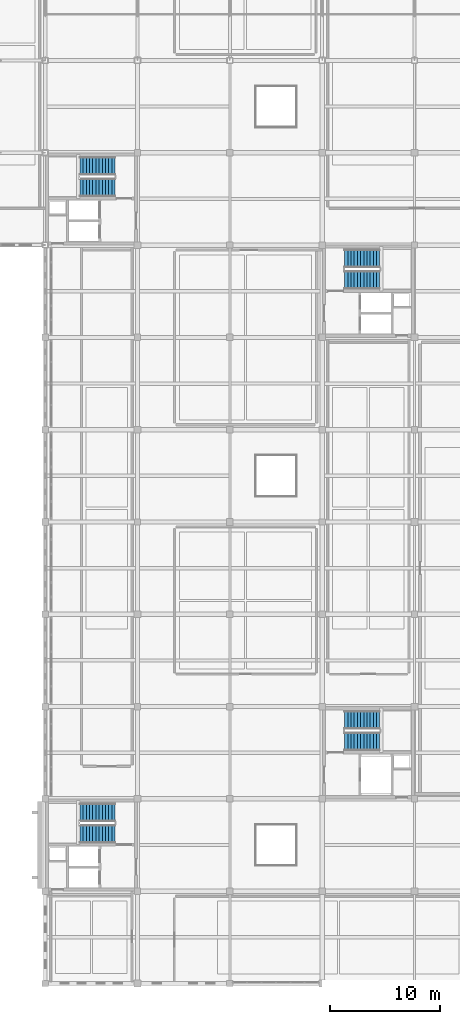
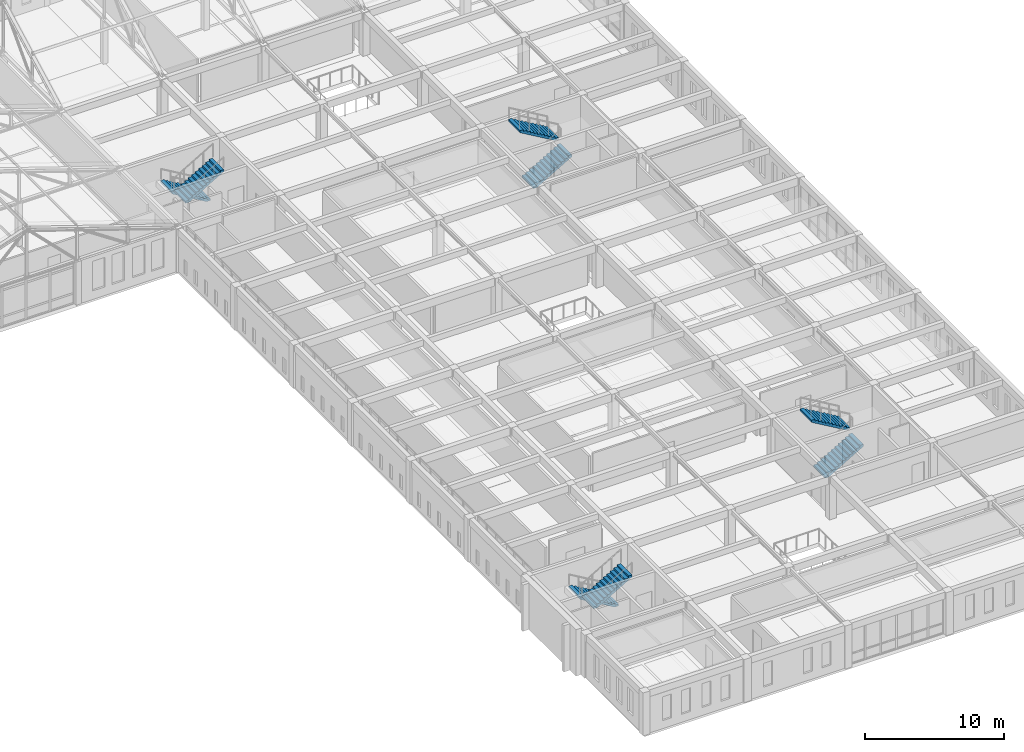
# One storey, part 51 of 56: 8 stair flights, 4 elements without a shape of their own.
"""IFC4 building model written with IfcOpenShell, lengths in metres."""

from ifc_helpers import new_model, si_unit, direction, frame, origin, place, context, subcontext, project, spatial, polyline, outline, extrude, material, type_object, element, aggregate, save


model = new_model("IFC4")

# Units and contexts
model_context = context("Model", 3, precision=1e-05, world=origin(), true_north=direction((0.0, 1.0)))
body_context = subcontext(model_context, "Body", "Model", "MODEL_VIEW")
ifc_project = project(units=[si_unit("LENGTHUNIT", "METRE"), si_unit("AREAUNIT", "SQUARE_METRE"), si_unit("VOLUMEUNIT", "CUBIC_METRE"), si_unit("PLANEANGLEUNIT", "RADIAN"), si_unit("MASSUNIT", "GRAM", prefix="KILO")], contexts=[model_context])

# Site, building, storey
site_placement = place(None, origin())
site = spatial("IfcSite", under=ifc_project, at=site_placement, CompositionType="ELEMENT")
building_placement = place(site_placement, origin())
building = spatial("IfcBuilding", under=site, at=building_placement, Name="Kveldsbrygga Polytechnic", CompositionType="ELEMENT")
storey_placement = place(building_placement, frame((0.0, 0.0, 18.02001953125)))
storey = spatial("IfcBuildingStorey", under=building, at=storey_placement, Name="L04", CompositionType="ELEMENT", Elevation=18.02001953125)

# Stair, stair flights
ifc_material = material(Name="Concrete C35/45", Category="concrete")
stair_type = type_object("IfcStairType", Name="STR-CORE-408", PredefinedType="HALF_TURN_STAIR", material=ifc_material)
stair_1_placement = place(storey_placement, origin())
stair_1 = element("IfcStair", 1, at=stair_1_placement, inside=storey, type_object=stair_type, Name="L04 Core C1 Escape Stair ST-1", PredefinedType="HALF_TURN_STAIR")
stair_flight_type = type_object("IfcStairFlightType", Name="SFL-CORE-12R", PredefinedType="STRAIGHT", material=ifc_material)
stair_flight_1_placement = place(storey_placement, frame((132.35009765625, 32.375, 0.0), z_axis=(0.0, 0.0, 1.0), x_axis=(-1.0, 0.0, 0.0)))
stair_flight_1 = element("IfcStairFlight", 2, at=stair_flight_1_placement, type_object=stair_flight_type, Name="ST-1 flight 1", NumberOfRisers=12, NumberOfTreads=11, PredefinedType="STRAIGHT", RiserHeight=0.17, TreadLength=0.29, context=body_context, shape_type="SweptSolid", body=[
    extrude(outline(polyline([(0.0, 0.0), (0.0, 0.169921875), (0.2900390625, 0.169921875), (0.2900390625, 0.340087890625), (0.580078125, 0.340087890625), (0.580078125, 0.510009765625), (0.8701171875, 0.510009765625), (0.8701171875, 0.679931640625), (1.159912109375, 0.679931640625), (1.159912109375, 0.85009765625), (1.449951171875, 0.85009765625), (1.449951171875, 1.02001953125), (1.739990234375, 1.02001953125), (1.739990234375, 1.18994140625), (2.030029296875, 1.18994140625), (2.030029296875, 1.360107421875), (2.320068359375, 1.360107421875), (2.320068359375, 1.530029296875), (2.610107421875, 1.530029296875), (2.610107421875, 1.699951171875), (2.89990234375, 1.699951171875), (2.89990234375, 1.8701171875), (3.18994140625, 1.8701171875), (3.18994140625, 2.0400390625), (3.18994140625, 1.6845703125), (0.316162109375, 0.0), (0.0, 0.0)])), frame((0.0, 0.824951171875, 0.0), z_axis=(0.0, -1.0, 0.0), x_axis=(1.0, 0.0, 0.0)), (0.0, 0.0, 1.0), 1.64990234375),
])
stair_flight_2_placement = place(storey_placement, frame((129.159912109375, 30.425048828125, 2.0400390625), z_axis=(0.0, 0.0, 1.0), x_axis=(1.0, 0.0, 0.0)))
stair_flight_2 = element("IfcStairFlight", 3, at=stair_flight_2_placement, type_object=stair_flight_type, Name="ST-1 flight 2", NumberOfRisers=12, NumberOfTreads=11, PredefinedType="STRAIGHT", RiserHeight=0.17, TreadLength=0.29, context=body_context, shape_type="SweptSolid", body=[
    extrude(outline(polyline([(0.0, 0.0), (0.0, 0.169921875), (0.2900390625, 0.169921875), (0.2900390625, 0.340087890625), (0.580078125, 0.340087890625), (0.580078125, 0.510009765625), (0.8701171875, 0.510009765625), (0.8701171875, 0.679931640625), (1.159912109375, 0.679931640625), (1.159912109375, 0.85009765625), (1.449951171875, 0.85009765625), (1.449951171875, 1.02001953125), (1.739990234375, 1.02001953125), (1.739990234375, 1.18994140625), (2.030029296875, 1.18994140625), (2.030029296875, 1.360107421875), (2.320068359375, 1.360107421875), (2.320068359375, 1.530029296875), (2.610107421875, 1.530029296875), (2.610107421875, 1.699951171875), (2.89990234375, 1.699951171875), (2.89990234375, 1.8701171875), (3.18994140625, 1.8701171875), (3.18994140625, 2.0400390625), (3.18994140625, 1.6845703125), (0.316162109375, 0.0), (0.0, 0.0)])), frame((0.0, 0.824951171875, 0.0), z_axis=(0.0, -1.0, 0.0), x_axis=(1.0, 0.0, 0.0)), (0.0, 0.0, 1.0), 1.64990234375),
])
aggregate(stair_1, [stair_flight_1, stair_flight_2])

stair_2_placement = place(storey_placement, origin())
stair_2 = element("IfcStair", 4, at=stair_2_placement, inside=storey, type_object=stair_type, Name="L04 Core C2 Escape Stair ST-2", PredefinedType="HALF_TURN_STAIR")
stair_flight_3_placement = place(storey_placement, frame((132.35009765625, 91.175048828125, 0.0), z_axis=(0.0, 0.0, 1.0), x_axis=(-1.0, 0.0, 0.0)))
stair_flight_3 = element("IfcStairFlight", 5, at=stair_flight_3_placement, type_object=stair_flight_type, Name="ST-2 flight 1", NumberOfRisers=12, NumberOfTreads=11, PredefinedType="STRAIGHT", RiserHeight=0.17, TreadLength=0.29, context=body_context, shape_type="SweptSolid", body=[
    extrude(outline(polyline([(0.0, 0.0), (0.0, 0.169921875), (0.2900390625, 0.169921875), (0.2900390625, 0.340087890625), (0.580078125, 0.340087890625), (0.580078125, 0.510009765625), (0.8701171875, 0.510009765625), (0.8701171875, 0.679931640625), (1.159912109375, 0.679931640625), (1.159912109375, 0.85009765625), (1.449951171875, 0.85009765625), (1.449951171875, 1.02001953125), (1.739990234375, 1.02001953125), (1.739990234375, 1.18994140625), (2.030029296875, 1.18994140625), (2.030029296875, 1.360107421875), (2.320068359375, 1.360107421875), (2.320068359375, 1.530029296875), (2.610107421875, 1.530029296875), (2.610107421875, 1.699951171875), (2.89990234375, 1.699951171875), (2.89990234375, 1.8701171875), (3.18994140625, 1.8701171875), (3.18994140625, 2.0400390625), (3.18994140625, 1.6845703125), (0.316162109375, 0.0), (0.0, 0.0)])), frame((0.0, 0.824951171875, 0.0), z_axis=(0.0, -1.0, 0.0), x_axis=(1.0, 0.0, 0.0)), (0.0, 0.0, 1.0), 1.64990234375),
])
stair_flight_4_placement = place(storey_placement, frame((129.159912109375, 89.22509765625, 2.0400390625), z_axis=(0.0, 0.0, 1.0), x_axis=(1.0, 0.0, 0.0)))
stair_flight_4 = element("IfcStairFlight", 6, at=stair_flight_4_placement, type_object=stair_flight_type, Name="ST-2 flight 2", NumberOfRisers=12, NumberOfTreads=11, PredefinedType="STRAIGHT", RiserHeight=0.17, TreadLength=0.29, context=body_context, shape_type="SweptSolid", body=[
    extrude(outline(polyline([(0.0, 0.0), (0.0, 0.169921875), (0.2900390625, 0.169921875), (0.2900390625, 0.340087890625), (0.580078125, 0.340087890625), (0.580078125, 0.510009765625), (0.8701171875, 0.510009765625), (0.8701171875, 0.679931640625), (1.159912109375, 0.679931640625), (1.159912109375, 0.85009765625), (1.449951171875, 0.85009765625), (1.449951171875, 1.02001953125), (1.739990234375, 1.02001953125), (1.739990234375, 1.18994140625), (2.030029296875, 1.18994140625), (2.030029296875, 1.360107421875), (2.320068359375, 1.360107421875), (2.320068359375, 1.530029296875), (2.610107421875, 1.530029296875), (2.610107421875, 1.699951171875), (2.89990234375, 1.699951171875), (2.89990234375, 1.8701171875), (3.18994140625, 1.8701171875), (3.18994140625, 2.0400390625), (3.18994140625, 1.6845703125), (0.316162109375, 0.0), (0.0, 0.0)])), frame((0.0, 0.824951171875, 0.0), z_axis=(0.0, -1.0, 0.0), x_axis=(1.0, 0.0, 0.0)), (0.0, 0.0, 1.0), 1.64990234375),
])
aggregate(stair_2, [stair_flight_3, stair_flight_4])

stair_3_placement = place(storey_placement, origin())
stair_3 = element("IfcStair", 7, at=stair_3_placement, inside=storey, type_object=stair_type, Name="L04 Core C3 Escape Stair ST-3", PredefinedType="HALF_TURN_STAIR")
stair_flight_5_placement = place(storey_placement, frame((153.25, 38.824951171875, 0.0), z_axis=(0.0, 0.0, 1.0), x_axis=(1.0, 0.0, 0.0)))
stair_flight_5 = element("IfcStairFlight", 8, at=stair_flight_5_placement, type_object=stair_flight_type, Name="ST-3 flight 1", NumberOfRisers=12, NumberOfTreads=11, PredefinedType="STRAIGHT", RiserHeight=0.17, TreadLength=0.29, context=body_context, shape_type="SweptSolid", body=[
    extrude(outline(polyline([(0.0, 0.0), (0.0, 0.169921875), (0.2900390625, 0.169921875), (0.2900390625, 0.340087890625), (0.580078125, 0.340087890625), (0.580078125, 0.510009765625), (0.8701171875, 0.510009765625), (0.8701171875, 0.679931640625), (1.159912109375, 0.679931640625), (1.159912109375, 0.85009765625), (1.449951171875, 0.85009765625), (1.449951171875, 1.02001953125), (1.739990234375, 1.02001953125), (1.739990234375, 1.18994140625), (2.030029296875, 1.18994140625), (2.030029296875, 1.360107421875), (2.320068359375, 1.360107421875), (2.320068359375, 1.530029296875), (2.610107421875, 1.530029296875), (2.610107421875, 1.699951171875), (2.89990234375, 1.699951171875), (2.89990234375, 1.8701171875), (3.18994140625, 1.8701171875), (3.18994140625, 2.0400390625), (3.18994140625, 1.6845703125), (0.316162109375, 0.0), (0.0, 0.0)])), frame((0.0, 0.824951171875, 0.0), z_axis=(0.0, -1.0, 0.0), x_axis=(1.0, 0.0, 0.0)), (0.0, 0.0, 1.0), 1.64990234375),
])
stair_flight_6_placement = place(storey_placement, frame((156.43994140625, 40.77490234375, 2.0400390625), z_axis=(0.0, 0.0, 1.0), x_axis=(-1.0, 0.0, 0.0)))
stair_flight_6 = element("IfcStairFlight", 9, at=stair_flight_6_placement, type_object=stair_flight_type, Name="ST-3 flight 2", NumberOfRisers=12, NumberOfTreads=11, PredefinedType="STRAIGHT", RiserHeight=0.17, TreadLength=0.29, context=body_context, shape_type="SweptSolid", body=[
    extrude(outline(polyline([(0.0, 0.0), (0.0, 0.169921875), (0.2900390625, 0.169921875), (0.2900390625, 0.340087890625), (0.580078125, 0.340087890625), (0.580078125, 0.510009765625), (0.8701171875, 0.510009765625), (0.8701171875, 0.679931640625), (1.159912109375, 0.679931640625), (1.159912109375, 0.85009765625), (1.449951171875, 0.85009765625), (1.449951171875, 1.02001953125), (1.739990234375, 1.02001953125), (1.739990234375, 1.18994140625), (2.030029296875, 1.18994140625), (2.030029296875, 1.360107421875), (2.320068359375, 1.360107421875), (2.320068359375, 1.530029296875), (2.610107421875, 1.530029296875), (2.610107421875, 1.699951171875), (2.89990234375, 1.699951171875), (2.89990234375, 1.8701171875), (3.18994140625, 1.8701171875), (3.18994140625, 2.0400390625), (3.18994140625, 1.6845703125), (0.316162109375, 0.0), (0.0, 0.0)])), frame((0.0, 0.824951171875, 0.0), z_axis=(0.0, -1.0, 0.0), x_axis=(1.0, 0.0, 0.0)), (0.0, 0.0, 1.0), 1.64990234375),
])
aggregate(stair_3, [stair_flight_5, stair_flight_6])

stair_4_placement = place(storey_placement, origin())
stair_4 = element("IfcStair", 10, at=stair_4_placement, inside=storey, type_object=stair_type, Name="L04 Core C4 Escape Stair ST-4", PredefinedType="HALF_TURN_STAIR")
stair_flight_7_placement = place(storey_placement, frame((153.25, 80.824951171875, 0.0), z_axis=(0.0, 0.0, 1.0), x_axis=(1.0, 0.0, 0.0)))
stair_flight_7 = element("IfcStairFlight", 11, at=stair_flight_7_placement, type_object=stair_flight_type, Name="ST-4 flight 1", NumberOfRisers=12, NumberOfTreads=11, PredefinedType="STRAIGHT", RiserHeight=0.17, TreadLength=0.29, context=body_context, shape_type="SweptSolid", body=[
    extrude(outline(polyline([(0.0, 0.0), (0.0, 0.169921875), (0.2900390625, 0.169921875), (0.2900390625, 0.340087890625), (0.580078125, 0.340087890625), (0.580078125, 0.510009765625), (0.8701171875, 0.510009765625), (0.8701171875, 0.679931640625), (1.159912109375, 0.679931640625), (1.159912109375, 0.85009765625), (1.449951171875, 0.85009765625), (1.449951171875, 1.02001953125), (1.739990234375, 1.02001953125), (1.739990234375, 1.18994140625), (2.030029296875, 1.18994140625), (2.030029296875, 1.360107421875), (2.320068359375, 1.360107421875), (2.320068359375, 1.530029296875), (2.610107421875, 1.530029296875), (2.610107421875, 1.699951171875), (2.89990234375, 1.699951171875), (2.89990234375, 1.8701171875), (3.18994140625, 1.8701171875), (3.18994140625, 2.0400390625), (3.18994140625, 1.6845703125), (0.316162109375, 0.0), (0.0, 0.0)])), frame((0.0, 0.824951171875, 0.0), z_axis=(0.0, -1.0, 0.0), x_axis=(1.0, 0.0, 0.0)), (0.0, 0.0, 1.0), 1.64990234375),
])
stair_flight_8_placement = place(storey_placement, frame((156.43994140625, 82.77490234375, 2.0400390625), z_axis=(0.0, 0.0, 1.0), x_axis=(-1.0, 0.0, 0.0)))
stair_flight_8 = element("IfcStairFlight", 12, at=stair_flight_8_placement, type_object=stair_flight_type, Name="ST-4 flight 2", NumberOfRisers=12, NumberOfTreads=11, PredefinedType="STRAIGHT", RiserHeight=0.17, TreadLength=0.29, context=body_context, shape_type="SweptSolid", body=[
    extrude(outline(polyline([(0.0, 0.0), (0.0, 0.169921875), (0.2900390625, 0.169921875), (0.2900390625, 0.340087890625), (0.580078125, 0.340087890625), (0.580078125, 0.510009765625), (0.8701171875, 0.510009765625), (0.8701171875, 0.679931640625), (1.159912109375, 0.679931640625), (1.159912109375, 0.85009765625), (1.449951171875, 0.85009765625), (1.449951171875, 1.02001953125), (1.739990234375, 1.02001953125), (1.739990234375, 1.18994140625), (2.030029296875, 1.18994140625), (2.030029296875, 1.360107421875), (2.320068359375, 1.360107421875), (2.320068359375, 1.530029296875), (2.610107421875, 1.530029296875), (2.610107421875, 1.699951171875), (2.89990234375, 1.699951171875), (2.89990234375, 1.8701171875), (3.18994140625, 1.8701171875), (3.18994140625, 2.0400390625), (3.18994140625, 1.6845703125), (0.316162109375, 0.0), (0.0, 0.0)])), frame((0.0, 0.824951171875, 0.0), z_axis=(0.0, -1.0, 0.0), x_axis=(1.0, 0.0, 0.0)), (0.0, 0.0, 1.0), 1.64990234375),
])
aggregate(stair_4, [stair_flight_7, stair_flight_8])

save(model, "model.ifc")
